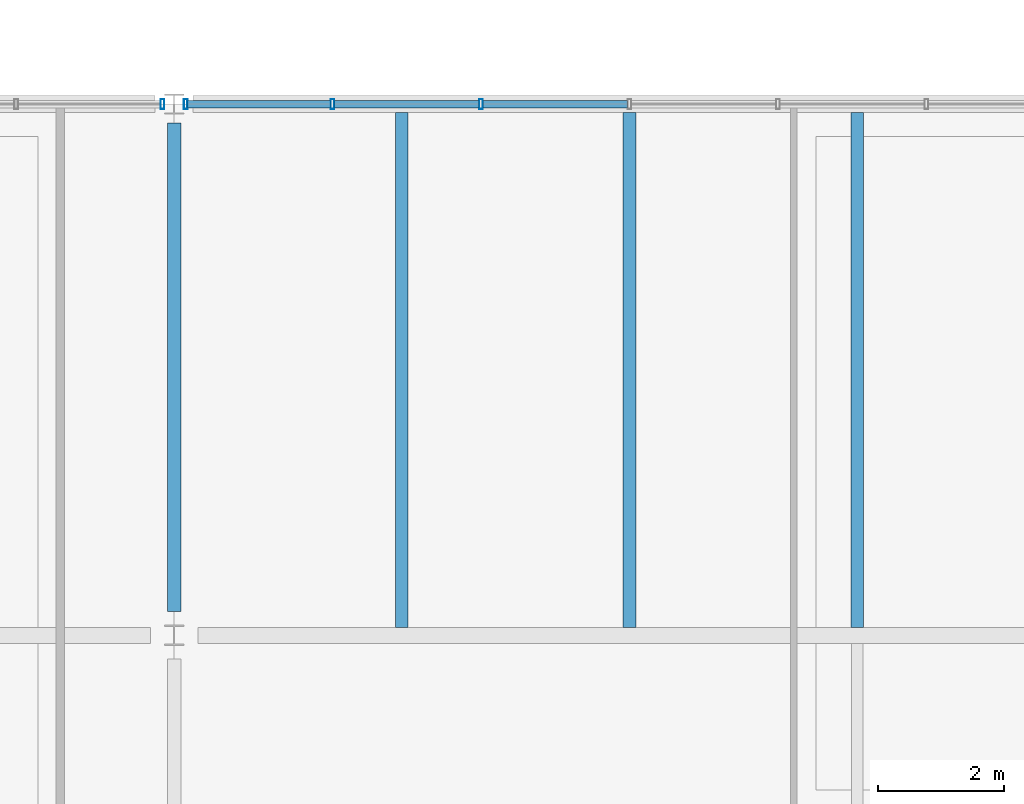
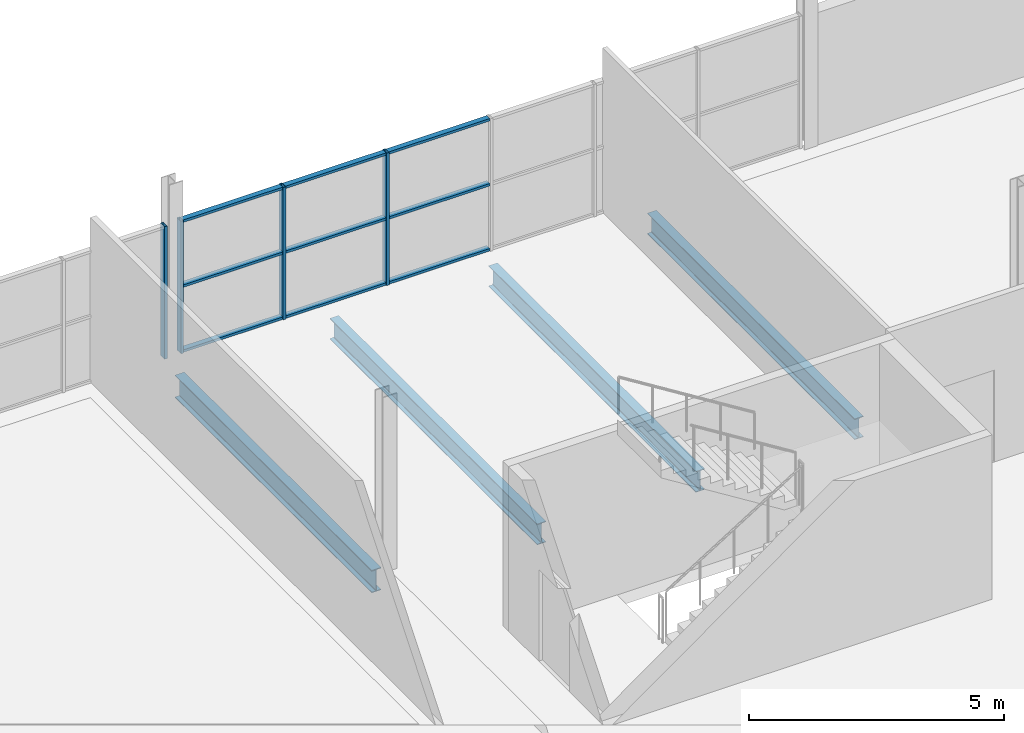
# One storey, part 86 of 161: 13 members, 4 beams, 2 elements without a shape of their own.
"""IFC4 building model written with IfcOpenShell, lengths in metres."""

from ifc_helpers import new_model, si_unit, direction, frame, origin, origin_2d, place, context, subcontext, project, spatial, hollow_rectangle, i_section, extrude, material, material_profile, profile_set, type_object, element, aggregate, save


model = new_model("IFC4")

# Units and contexts
model_context = context("Model", 3, precision=1e-05, world=origin(), true_north=direction((0.0, 1.0)))
body_context = subcontext(model_context, "Body", "Model", "MODEL_VIEW")
ifc_project = project(units=[si_unit("LENGTHUNIT", "METRE"), si_unit("AREAUNIT", "SQUARE_METRE"), si_unit("VOLUMEUNIT", "CUBIC_METRE"), si_unit("PLANEANGLEUNIT", "RADIAN"), si_unit("MASSUNIT", "GRAM", prefix="KILO"), si_unit("THERMODYNAMICTEMPERATUREUNIT", "KELVIN")], contexts=[model_context])

# Site, building, storey
site_placement = place(None, origin())
site = spatial("IfcSite", under=ifc_project, at=site_placement, CompositionType="ELEMENT")
building_placement = place(site_placement, origin())
building = spatial("IfcBuilding", under=site, at=building_placement, Name="Nduvali Passage Aquatics Centre", CompositionType="ELEMENT")
storey_placement = place(building_placement, frame((0.0, 0.0, 4.800048828125)))
storey = spatial("IfcBuildingStorey", under=building, at=storey_placement, Name="L01", CompositionType="ELEMENT", Elevation=4.800048828125)

# Curtain wall, member
ifc_material_1 = material(Name="Aluminium EN AW-6063 T6", Category="aluminium")
curtain_wall_type = type_object("IfcCurtainWallType", Name="ENV-CW-WELL", PredefinedType="NOTDEFINED", material=ifc_material_1)
curtain_wall_1_placement = place(storey_placement, origin())
curtain_wall_1 = element("IfcCurtainWall", 1, at=curtain_wall_1_placement, inside=storey, type_object=curtain_wall_type, Name="L01 North Avenue Fitness CW 108", PredefinedType="NOTDEFINED")
ifc_material_profile_1 = material_profile(ifc_material_1, hollow_rectangle(XDim=0.06005859375, YDim=0.159912109375, WallThickness=0.00390625, at=origin_2d()), Name="ALU MULLION 60x160x4")
ifc_profile_set_1 = profile_set([ifc_material_profile_1], Name="Aluminium EN AW-6063 T6")
member_type_1 = type_object("IfcMemberType", Name="ENV-MEM-MUL60", PredefinedType="MULLION", material=ifc_profile_set_1)
member_1_placement = place(storey_placement, frame((97.015380859375, 117.60009765625, 0.0), z_axis=(0.0, 0.0, 1.0), x_axis=(1.0, 0.0, 0.0)))
member_1 = element("IfcMember", 2, at=member_1_placement, type_object=member_type_1, Name="North Avenue Fitness CW Mullion 7", PredefinedType="MULLION", context=body_context, shape_type="SweptSolid", body=[
    extrude(hollow_rectangle(XDim=0.06005859375, YDim=0.159912109375, WallThickness=0.00390625, at=origin_2d()), origin(), (0.0, 0.0, 1.0), 3.173828125),
])
aggregate(curtain_wall_1, [member_1])

# Curtain wall, members
curtain_wall_2_placement = place(storey_placement, origin())
curtain_wall_2 = element("IfcCurtainWall", 3, at=curtain_wall_2_placement, inside=storey, type_object=curtain_wall_type, Name="L01 North Avenue Fitness CW 112", PredefinedType="NOTDEFINED")
member_2_placement = place(storey_placement, frame((97.384521484375, 117.60009765625, 0.0), z_axis=(0.0, 0.0, 1.0), x_axis=(1.0, 0.0, 0.0)))
member_2 = element("IfcMember", 4, at=member_2_placement, type_object=member_type_1, Name="North Avenue Fitness CW Mullion 1", PredefinedType="MULLION", context=body_context, shape_type="SweptSolid", body=[
    extrude(hollow_rectangle(XDim=0.06005859375, YDim=0.159912109375, WallThickness=0.00390625, at=origin_2d()), origin(), (0.0, 0.0, 1.0), 3.173828125),
])
member_3_placement = place(storey_placement, frame((99.703125, 117.60009765625, 0.0), z_axis=(0.0, 0.0, 1.0), x_axis=(1.0, 0.0, 0.0)))
member_3 = element("IfcMember", 5, at=member_3_placement, type_object=member_type_1, Name="North Avenue Fitness CW Mullion 2", PredefinedType="MULLION", context=body_context, shape_type="SweptSolid", body=[
    extrude(hollow_rectangle(XDim=0.06005859375, YDim=0.159912109375, WallThickness=0.00390625, at=origin_2d()), origin(), (0.0, 0.0, 1.0), 3.173828125),
])
member_4_placement = place(storey_placement, frame((102.051513671875, 117.60009765625, 0.0), z_axis=(0.0, 0.0, 1.0), x_axis=(1.0, 0.0, 0.0)))
member_4 = element("IfcMember", 6, at=member_4_placement, type_object=member_type_1, Name="North Avenue Fitness CW Mullion 3", PredefinedType="MULLION", context=body_context, shape_type="SweptSolid", body=[
    extrude(hollow_rectangle(XDim=0.06005859375, YDim=0.159912109375, WallThickness=0.00390625, at=origin_2d()), origin(), (0.0, 0.0, 1.0), 3.173828125),
])
ifc_material_profile_2 = material_profile(ifc_material_1, hollow_rectangle(XDim=0.1201171875, YDim=0.06005859375, WallThickness=0.00390625, at=origin_2d()), Name="ALU TRANSOM 120x60x4")
ifc_profile_set_2 = profile_set([ifc_material_profile_2], Name="Aluminium EN AW-6063 T6")
member_type_2 = type_object("IfcMemberType", Name="ENV-MEM-TRN60", PredefinedType="USERDEFINED", material=ifc_profile_set_2)
member_5_placement = place(storey_placement, frame((97.41455078125, 117.60009765625, 0.030029296875), z_axis=(1.0, 0.0, 0.0), x_axis=(0.0, 1.0, 0.0)))
member_5 = element("IfcMember", 7, at=member_5_placement, type_object=member_type_2, Name="North Avenue Fitness CW Transom B1-R0", ObjectType="TRANSOM", PredefinedType="USERDEFINED", context=body_context, shape_type="SweptSolid", body=[
    extrude(hollow_rectangle(XDim=0.1201171875, YDim=0.06005859375, WallThickness=0.00390625, at=origin_2d()), origin(), (0.0, 0.0, 1.0), 2.258544921875),
])
member_6_placement = place(storey_placement, frame((97.41455078125, 117.60009765625, 1.5869140625), z_axis=(1.0, 0.0, 0.0), x_axis=(0.0, 1.0, 0.0)))
member_6 = element("IfcMember", 8, at=member_6_placement, type_object=member_type_2, Name="North Avenue Fitness CW Transom B1-R1", ObjectType="TRANSOM", PredefinedType="USERDEFINED", context=body_context, shape_type="SweptSolid", body=[
    extrude(hollow_rectangle(XDim=0.1201171875, YDim=0.06005859375, WallThickness=0.00390625, at=origin_2d()), origin(), (0.0, 0.0, 1.0), 2.258544921875),
])
member_7_placement = place(storey_placement, frame((97.41455078125, 117.60009765625, 3.143798828125), z_axis=(1.0, 0.0, 0.0), x_axis=(0.0, 1.0, 0.0)))
member_7 = element("IfcMember", 9, at=member_7_placement, type_object=member_type_2, Name="North Avenue Fitness CW Transom B1-R2", ObjectType="TRANSOM", PredefinedType="USERDEFINED", context=body_context, shape_type="SweptSolid", body=[
    extrude(hollow_rectangle(XDim=0.1201171875, YDim=0.06005859375, WallThickness=0.00390625, at=origin_2d()), origin(), (0.0, 0.0, 1.0), 2.258544921875),
])
member_8_placement = place(storey_placement, frame((99.733154296875, 117.60009765625, 0.030029296875), z_axis=(1.0, 0.0, 0.0), x_axis=(0.0, 1.0, 0.0)))
member_8 = element("IfcMember", 10, at=member_8_placement, type_object=member_type_2, Name="North Avenue Fitness CW Transom B2-R0", ObjectType="TRANSOM", PredefinedType="USERDEFINED", context=body_context, shape_type="SweptSolid", body=[
    extrude(hollow_rectangle(XDim=0.1201171875, YDim=0.06005859375, WallThickness=0.00390625, at=origin_2d()), origin(), (0.0, 0.0, 1.0), 2.288330078125),
])
member_9_placement = place(storey_placement, frame((99.733154296875, 117.60009765625, 1.5869140625), z_axis=(1.0, 0.0, 0.0), x_axis=(0.0, 1.0, 0.0)))
member_9 = element("IfcMember", 11, at=member_9_placement, type_object=member_type_2, Name="North Avenue Fitness CW Transom B2-R1", ObjectType="TRANSOM", PredefinedType="USERDEFINED", context=body_context, shape_type="SweptSolid", body=[
    extrude(hollow_rectangle(XDim=0.1201171875, YDim=0.06005859375, WallThickness=0.00390625, at=origin_2d()), origin(), (0.0, 0.0, 1.0), 2.288330078125),
])
member_10_placement = place(storey_placement, frame((99.733154296875, 117.60009765625, 3.143798828125), z_axis=(1.0, 0.0, 0.0), x_axis=(0.0, 1.0, 0.0)))
member_10 = element("IfcMember", 12, at=member_10_placement, type_object=member_type_2, Name="North Avenue Fitness CW Transom B2-R2", ObjectType="TRANSOM", PredefinedType="USERDEFINED", context=body_context, shape_type="SweptSolid", body=[
    extrude(hollow_rectangle(XDim=0.1201171875, YDim=0.06005859375, WallThickness=0.00390625, at=origin_2d()), origin(), (0.0, 0.0, 1.0), 2.288330078125),
])
member_11_placement = place(storey_placement, frame((102.08154296875, 117.60009765625, 0.030029296875), z_axis=(1.0, 0.0, 0.0), x_axis=(0.0, 1.0, 0.0)))
member_11 = element("IfcMember", 13, at=member_11_placement, type_object=member_type_2, Name="North Avenue Fitness CW Transom B3-R0", ObjectType="TRANSOM", PredefinedType="USERDEFINED", context=body_context, shape_type="SweptSolid", body=[
    extrude(hollow_rectangle(XDim=0.1201171875, YDim=0.06005859375, WallThickness=0.00390625, at=origin_2d()), origin(), (0.0, 0.0, 1.0), 2.28857421875),
])
member_12_placement = place(storey_placement, frame((102.08154296875, 117.60009765625, 1.5869140625), z_axis=(1.0, 0.0, 0.0), x_axis=(0.0, 1.0, 0.0)))
member_12 = element("IfcMember", 14, at=member_12_placement, type_object=member_type_2, Name="North Avenue Fitness CW Transom B3-R1", ObjectType="TRANSOM", PredefinedType="USERDEFINED", context=body_context, shape_type="SweptSolid", body=[
    extrude(hollow_rectangle(XDim=0.1201171875, YDim=0.06005859375, WallThickness=0.00390625, at=origin_2d()), origin(), (0.0, 0.0, 1.0), 2.28857421875),
])
member_13_placement = place(storey_placement, frame((102.08154296875, 117.60009765625, 3.143798828125), z_axis=(1.0, 0.0, 0.0), x_axis=(0.0, 1.0, 0.0)))
member_13 = element("IfcMember", 15, at=member_13_placement, type_object=member_type_2, Name="North Avenue Fitness CW Transom B3-R2", ObjectType="TRANSOM", PredefinedType="USERDEFINED", context=body_context, shape_type="SweptSolid", body=[
    extrude(hollow_rectangle(XDim=0.1201171875, YDim=0.06005859375, WallThickness=0.00390625, at=origin_2d()), origin(), (0.0, 0.0, 1.0), 2.28857421875),
])
aggregate(curtain_wall_2, [member_2, member_3, member_4, member_5, member_6, member_7, member_8, member_9, member_10, member_11, member_12, member_13])

# Beams
ifc_material_2 = material(Name="Steel S355", Category="steel")
ifc_material_profile_3 = material_profile(ifc_material_2, i_section(OverallWidth=0.210693359375, OverallDepth=0.53955078125, WebThickness=0.01171875, FlangeThickness=0.018798828125, FilletRadius=0.0126953125, at=origin_2d()), Name="UKB 533x210x109")
ifc_profile_set_3 = profile_set([ifc_material_profile_3], Name="Steel S355")
beam_type_1 = type_object("IfcBeamType", Name="STR-BM-UKB533", PredefinedType="BEAM", material=ifc_profile_set_3)
beam_placement = place(storey_placement, frame((97.199951171875, 109.574951171875, -0.553955078125), z_axis=(0.0, 1.0, 0.0), x_axis=(-1.0, 0.0, 0.0)))
element("IfcBeam", 16, at=beam_placement, inside=storey, type_object=beam_type_1, Name="L01 Primary Y-Girder B6-0613", PredefinedType="BEAM", context=body_context, shape_type="SweptSolid", body=[
    extrude(i_section(OverallWidth=0.210693359375, OverallDepth=0.53955078125, WebThickness=0.01171875, FlangeThickness=0.018798828125, FilletRadius=0.0126953125, at=origin_2d()), origin(), (0.0, 0.0, 1.0), 7.72509765625),
])
ifc_material_profile_4 = material_profile(ifc_material_2, i_section(OverallWidth=0.199951171875, OverallDepth=0.5, WebThickness=0.01025390625, FlangeThickness=0.01611328125, FilletRadius=0.02099609375, at=origin_2d()), Name="IPE 500")
ifc_profile_set_4 = profile_set([ifc_material_profile_4], Name="Steel S355")
beam_type_2 = type_object("IfcBeamType", Name="STR-JST-IPE500", PredefinedType="JOIST", material=ifc_profile_set_4)
for number, where, z_axis, x_axis, name in (
    (17, (100.800048828125, 109.326904296875, -0.533935546875), (0.0, 1.0, 0.0), (-1.0, 0.0, 0.0), "L01 Secondary Joist J5A-0853"),
    (18, (104.39990234375, 109.326904296875, -0.533935546875), (0.0, 1.0, 0.0), (-1.0, 0.0, 0.0), "L01 Secondary Joist J5A-0854"),
    (19, (108.0, 109.326904296875, -0.533935546875), (0.0, 1.0, 0.0), (-1.0, 0.0, 0.0), "L01 Secondary Joist J5A-0855"),
):
    element("IfcBeam", number, at=place(storey_placement, frame(where, z_axis=z_axis, x_axis=x_axis)), inside=storey, type_object=beam_type_2, Name=name, PredefinedType="JOIST", context=body_context, shape_type="SweptSolid", body=[
        extrude(i_section(OverallWidth=0.199951171875, OverallDepth=0.5, WebThickness=0.01025390625, FlangeThickness=0.01611328125, FilletRadius=0.02099609375, at=origin_2d()), origin(), (0.0, 0.0, 1.0), 8.139892578125),
    ])

save(model, "model.ifc")
